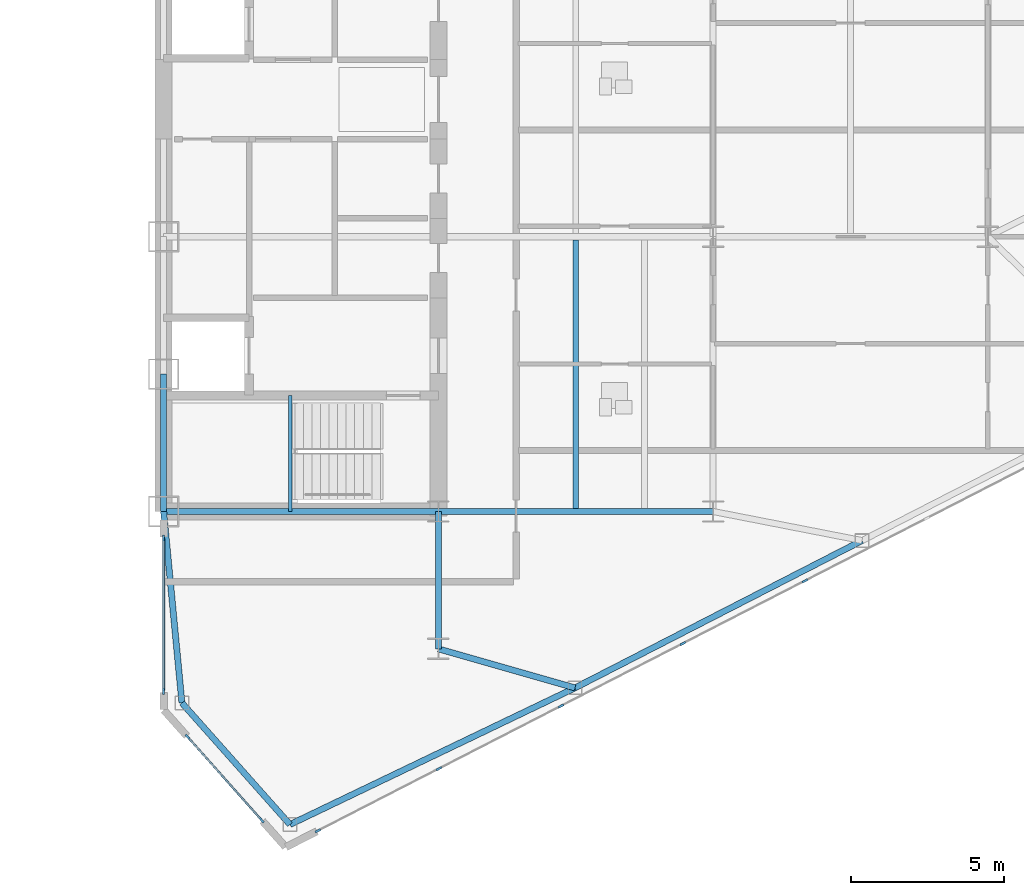
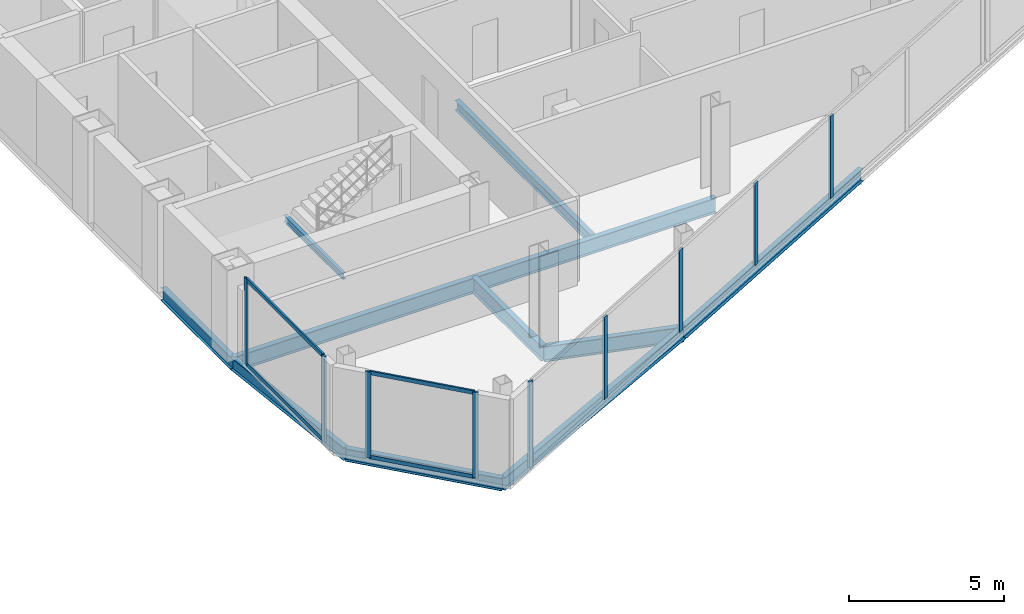
# One storey, part 8 of 23: 13 members, 11 beams, 3 elements without a shape of their own.
"""IFC4 building model written with IfcOpenShell, lengths in metres."""

from ifc_helpers import new_model, si_unit, direction, frame, origin, origin_2d, place, context, subcontext, project, spatial, rectangle, i_section, extrude, source, transform, mapped, material, layer, layer_set, material_profile, profile_set, type_object, type_shapes, element, aggregate, save


model = new_model("IFC4")

# Units and contexts
model_context = context("Model", 3, precision=1e-05, world=origin(), true_north=direction((0.0, 1.0)))
body_context = subcontext(model_context, "Body", "Model", "MODEL_VIEW")
ifc_project = project(units=[si_unit("LENGTHUNIT", "METRE"), si_unit("AREAUNIT", "SQUARE_METRE"), si_unit("VOLUMEUNIT", "CUBIC_METRE"), si_unit("PLANEANGLEUNIT", "RADIAN"), si_unit("MASSUNIT", "GRAM", prefix="KILO")], contexts=[model_context])

# Site, building, storey
site_placement = place(None, origin())
site = spatial("IfcSite", under=ifc_project, at=site_placement, CompositionType="ELEMENT")
building_placement = place(site_placement, origin())
building = spatial("IfcBuilding", under=site, at=building_placement, Name="Seokmaru Belvedere", CompositionType="ELEMENT")
storey_placement = place(building_placement, frame((0.0, 0.0, 147.60009765625)))
storey = spatial("IfcBuildingStorey", under=building, at=storey_placement, Name="L39", CompositionType="ELEMENT", Elevation=147.60009765625)

# Beams
ifc_material_1 = material(Name="Steel SM355 (355 MPa)", Category="steel")
ifc_material_profile_1 = material_profile(ifc_material_1, i_section(OverallWidth=0.199951171875, OverallDepth=0.5, WebThickness=0.010009765625, FlangeThickness=0.01611328125, at=origin_2d()), Name="H-500x200x10x16")
ifc_profile_set_1 = profile_set([ifc_material_profile_1], Name="Steel SM355 (355 MPa)")
beam_type_1 = type_object("IfcBeamType", Name="Perimeter Spandrel Beam H-500", PredefinedType="SPANDREL", material=ifc_profile_set_1)
shared_shape_1 = source(origin(), body_context, "Body", "SweptSolid", [
    extrude(i_section(OverallWidth=0.199951171875, OverallDepth=0.5, WebThickness=0.010009765625, FlangeThickness=0.01611328125, at=origin_2d()), origin(), (0.0, 0.0, 1.0), 4.5),
])
beam_1_placement = place(storey_placement, frame((27.5, -13.5, -0.47021484375), z_axis=(0.0, 1.0, 0.0), x_axis=(-1.0, 0.0, 0.0)))
element("IfcBeam", 1, at=beam_1_placement, inside=storey, type_object=beam_type_1, Name="L39 E Portal Spine Spandrel 1", PredefinedType="SPANDREL", context=body_context, shape_type="MappedRepresentation", body=[
    mapped(shared_shape_1, transform((0.0, 0.0, 0.0), scale=1.0)),
])
ifc_material_profile_2 = material_profile(ifc_material_1, i_section(OverallWidth=0.199951171875, OverallDepth=0.60009765625, WebThickness=0.010986328125, FlangeThickness=0.01708984375, at=origin_2d()), Name="H-600x200x11x17")
ifc_profile_set_2 = profile_set([ifc_material_profile_2], Name="Steel SM355 (355 MPa)")
beam_type_2 = type_object("IfcBeamType", Name="Primary Floor Girder H-600", PredefinedType="BEAM", material=ifc_profile_set_2)
shared_shape_2 = source(origin(), body_context, "Body", "SweptSolid", [
    extrude(i_section(OverallWidth=0.199951171875, OverallDepth=0.60009765625, WebThickness=0.010986328125, FlangeThickness=0.01708984375, at=origin_2d()), origin(), (0.0, 0.0, 1.0), 9.0),
])
for number, where, z_axis, x_axis, name in (
    (2, (27.5, -13.5, -0.52001953125), (1.0, 0.0, 0.0), (0.0, 1.0, 0.0), "L39 E Core Tie Girder 1"),
    (3, (36.5, -13.5, -0.52001953125), (1.0, 0.0, 0.0), (0.0, 1.0, 0.0), "L39 E Wing Primary Girder 1"),
):
    element("IfcBeam", number, at=place(storey_placement, frame(where, z_axis=z_axis, x_axis=x_axis)), inside=storey, type_object=beam_type_2, Name=name, PredefinedType="BEAM", context=body_context, shape_type="MappedRepresentation", body=[
        mapped(shared_shape_2, transform((0.0, 0.0, 0.0), scale=1.0)),
    ])
ifc_material_profile_3 = material_profile(ifc_material_1, i_section(OverallWidth=0.18505859375, OverallDepth=0.389892578125, WebThickness=0.008056640625, FlangeThickness=0.011962890625, at=origin_2d()), Name="H-390x185x8x12")
ifc_profile_set_3 = profile_set([ifc_material_profile_3], Name="Steel SM355 (355 MPa)")
beam_type_3 = type_object("IfcBeamType", Name="Secondary Floor Joist H-350", PredefinedType="JOIST", material=ifc_profile_set_3)
shared_shape_3 = source(origin(), body_context, "Body", "SweptSolid", [
    extrude(i_section(OverallWidth=0.18505859375, OverallDepth=0.389892578125, WebThickness=0.008056640625, FlangeThickness=0.011962890625, at=origin_2d()), origin(), (0.0, 0.0, 1.0), 8.7900390625),
])
type_shapes(beam_type_3, [shared_shape_3])
beam_2_placement = place(storey_placement, frame((41.0, -13.39501953125, -0.4150390625), z_axis=(0.0, 1.0, 0.0), x_axis=(-1.0, 0.0, 0.0)))
element("IfcBeam", 4, at=beam_2_placement, inside=storey, type_object=beam_type_3, Name="L39 E Secondary Floor Joist 1", PredefinedType="JOIST", context=body_context, shape_type="MappedRepresentation", body=[
    mapped(shared_shape_3, transform((0.0, 0.0, 0.0), scale=1.0)),
])
shared_shape_4 = source(origin(), body_context, "Body", "SweptSolid", [
    extrude(i_section(OverallWidth=0.199951171875, OverallDepth=0.60009765625, WebThickness=0.010986328125, FlangeThickness=0.01708984375, at=origin_2d()), origin(), (0.0, 0.0, 1.0), 4.5),
])
beam_3_placement = place(storey_placement, frame((36.5, -18.0, -0.52001953125), z_axis=(0.0, 1.0, 0.0), x_axis=(-1.0, 0.0, 0.0)))
element("IfcBeam", 5, at=beam_3_placement, inside=storey, type_object=beam_type_2, Name="L39 E Core Shoulder Girder S", PredefinedType="BEAM", context=body_context, shape_type="MappedRepresentation", body=[
    mapped(shared_shape_4, transform((0.0, 0.0, 0.0), scale=1.0)),
])
shared_shape_5 = source(origin(), body_context, "Body", "SweptSolid", [
    extrude(i_section(OverallWidth=0.199951171875, OverallDepth=0.5, WebThickness=0.010009765625, FlangeThickness=0.01611328125, at=origin_2d()), origin(), (0.0, 0.0, 1.0), 10.353759765625),
])
beam_4_placement = place(storey_placement, frame((31.6396484375, -23.75390625, -0.47021484375), z_axis=(0.901713202822, 0.432334708134, 0.0), x_axis=(-0.432334708134, 0.901713202822, 0.0)))
element("IfcBeam", 6, at=beam_4_placement, inside=storey, type_object=beam_type_1, Name="L39 E Faceted Flank Spandrel S-1", PredefinedType="SPANDREL", context=body_context, shape_type="MappedRepresentation", body=[
    mapped(shared_shape_5, transform((0.0, 0.0, 0.0), scale=1.0)),
])
shared_shape_6 = source(origin(), body_context, "Body", "SweptSolid", [
    extrude(i_section(OverallWidth=0.199951171875, OverallDepth=0.5, WebThickness=0.010009765625, FlangeThickness=0.01611328125, at=origin_2d()), origin(), (0.0, 0.0, 1.0), 10.56689453125),
])
beam_5_placement = place(storey_placement, frame((40.975830078125, -19.277587890625, -0.47021484375), z_axis=(0.889701972758, 0.45654178305, 0.0), x_axis=(-0.45654178305, 0.889701972758, 0.0)))
element("IfcBeam", 7, at=beam_5_placement, inside=storey, type_object=beam_type_1, Name="L39 E Faceted Flank Spandrel S-2", PredefinedType="SPANDREL", context=body_context, shape_type="MappedRepresentation", body=[
    mapped(shared_shape_6, transform((0.0, 0.0, 0.0), scale=1.0)),
])
shared_shape_7 = source(origin(), body_context, "Body", "SweptSolid", [
    extrude(i_section(OverallWidth=0.199951171875, OverallDepth=0.5, WebThickness=0.010009765625, FlangeThickness=0.01611328125, at=origin_2d()), origin(), (0.0, 0.0, 1.0), 5.32763671875),
])
beam_6_placement = place(storey_placement, frame((31.6396484375, -23.75390625, -0.47021484375), z_axis=(-0.66436952742, 0.74740426212, 0.0), x_axis=(-0.74740426212, -0.66436952742, 0.0)))
element("IfcBeam", 8, at=beam_6_placement, inside=storey, type_object=beam_type_1, Name="L39 E Shoulder Chamfer Spandrel S", PredefinedType="SPANDREL", context=body_context, shape_type="MappedRepresentation", body=[
    mapped(shared_shape_7, transform((0.0, 0.0, 0.0), scale=1.0)),
])
shared_shape_8 = source(origin(), body_context, "Body", "SweptSolid", [
    extrude(i_section(OverallWidth=0.199951171875, OverallDepth=0.5, WebThickness=0.010009765625, FlangeThickness=0.01611328125, at=origin_2d()), origin(), (0.0, 0.0, 1.0), 6.300537109375),
])
type_shapes(beam_type_1, [shared_shape_1, shared_shape_5, shared_shape_6, shared_shape_7, shared_shape_8])
beam_7_placement = place(storey_placement, frame((28.10009765625, -19.77197265625, -0.47021484375), z_axis=(-0.095244287992, 0.995453929424, 0.0), x_axis=(-0.995453929424, -0.095244287992, 0.0)))
element("IfcBeam", 9, at=beam_7_placement, inside=storey, type_object=beam_type_1, Name="L39 E Shoulder Spine Spandrel S", PredefinedType="SPANDREL", context=body_context, shape_type="MappedRepresentation", body=[
    mapped(shared_shape_8, transform((0.0, 0.0, 0.0), scale=1.0)),
])
shared_shape_9 = source(origin(), body_context, "Body", "SweptSolid", [
    extrude(i_section(OverallWidth=0.199951171875, OverallDepth=0.60009765625, WebThickness=0.010986328125, FlangeThickness=0.01708984375, at=origin_2d()), origin(), (0.0, 0.0, 1.0), 4.654541015625),
])
type_shapes(beam_type_2, [shared_shape_2, shared_shape_4, shared_shape_9])
beam_8_placement = place(storey_placement, frame((40.975830078125, -19.277587890625, -0.52001953125), z_axis=(-0.961593192625, 0.274478654721, 0.0), x_axis=(-0.274478654721, -0.961593192625, 0.0)))
element("IfcBeam", 10, at=beam_8_placement, inside=storey, type_object=beam_type_2, Name="L39 E Flank Radial Floor Girder S-1", PredefinedType="BEAM", context=body_context, shape_type="MappedRepresentation", body=[
    mapped(shared_shape_9, transform((0.0, 0.0, 0.0), scale=1.0)),
])

# Curtain wall, member
ifc_material_2 = material(Name="Bronze Triple Insulating Glass", Category="glass")
ifc_layer = layer(ifc_material_2, 0.195068359375)
ifc_layer_set = layer_set([ifc_layer], Name="Bronze Triple Insulating Glass")
curtain_wall_type = type_object("IfcCurtainWallType", Name="Sky-Lobby and Mid-Rise Curtain Wall System CW-4", PredefinedType="NOTDEFINED", material=ifc_layer_set)
curtain_wall_1_placement = place(storey_placement, origin())
curtain_wall_1 = element("IfcCurtainWall", 11, at=curtain_wall_1_placement, inside=storey, type_object=curtain_wall_type, Name="L39 Curtain Wall EF1", PredefinedType="NOTDEFINED")
ifc_material_3 = material(Name="Anodised Bronze Aluminium", Category="aluminium")
ifc_material_profile_4 = material_profile(ifc_material_3, rectangle(XDim=0.070068359375, YDim=0.195068359375, at=origin_2d()), Name="CW-M-70x195")
ifc_profile_set_4 = profile_set([ifc_material_profile_4], Name="Anodised Bronze Aluminium")
member_type_1 = type_object("IfcMemberType", Name="Bronze Unitised Mullion 70x195", PredefinedType="MULLION", material=ifc_profile_set_4)
shared_shape_10 = source(origin(), body_context, "Body", "SweptSolid", [
    extrude(rectangle(XDim=0.070068359375, YDim=0.195068359375, at=origin_2d()), origin(), (0.0, 0.0, 1.0), 3.3798828125),
])
member_1_placement = place(storey_placement, frame((32.55419921875, -23.958984375, 0.0), z_axis=(0.0, 0.0, 1.0), x_axis=(-0.456554528263, 0.889695432562, 0.0)))
member_1 = element("IfcMember", 12, at=member_1_placement, type_object=member_type_1, Name="CW:L39:EF1 Mullion 1", PredefinedType="MULLION", context=body_context, shape_type="MappedRepresentation", body=[
    mapped(shared_shape_10, transform((0.0, 0.0, 0.0), scale=1.0)),
])

# Curtain wall, members
curtain_wall_2_placement = place(storey_placement, origin())
curtain_wall_2 = element("IfcCurtainWall", 13, at=curtain_wall_2_placement, inside=storey, type_object=curtain_wall_type, Name="L39 Curtain Wall ESP_1", PredefinedType="NOTDEFINED")
member_2_placement = place(storey_placement, frame((27.5, -14.364990234375, 0.0), z_axis=(0.0, 0.0, 1.0), x_axis=(1.0, 0.0, 0.0)))
member_2 = element("IfcMember", 14, at=member_2_placement, type_object=member_type_1, Name="CW:L39:ESP_1 Mullion 1", PredefinedType="MULLION", context=body_context, shape_type="MappedRepresentation", body=[
    mapped(shared_shape_10, transform((0.0, 0.0, 0.0), scale=1.0)),
])
member_3_placement = place(storey_placement, frame((27.5, -19.39501953125, 0.0), z_axis=(0.0, 0.0, 1.0), x_axis=(1.0, 0.0, 0.0)))
member_3 = element("IfcMember", 15, at=member_3_placement, type_object=member_type_1, Name="CW:L39:ESP_1 Mullion 2", PredefinedType="MULLION", context=body_context, shape_type="MappedRepresentation", body=[
    mapped(shared_shape_10, transform((0.0, 0.0, 0.0), scale=1.0)),
])

curtain_wall_3_placement = place(storey_placement, origin())
curtain_wall_3 = element("IfcCurtainWall", 16, at=curtain_wall_3_placement, inside=storey, type_object=curtain_wall_type, Name="L39 Curtain Wall EF6", PredefinedType="NOTDEFINED")
member_4_placement = place(storey_placement, frame((28.287353515625, -20.8857421875, 0.0), z_axis=(0.0, 0.0, 1.0), x_axis=(0.747409774804, 0.664363325694, 0.0)))
member_4 = element("IfcMember", 17, at=member_4_placement, type_object=member_type_1, Name="CW:L39:EF6 Mullion 1", PredefinedType="MULLION", context=body_context, shape_type="MappedRepresentation", body=[
    mapped(shared_shape_10, transform((0.0, 0.0, 0.0), scale=1.0)),
])
member_5_placement = place(storey_placement, frame((30.712646484375, -23.6142578125, 0.0), z_axis=(0.0, 0.0, 1.0), x_axis=(0.747409774804, 0.664363325694, 0.0)))
member_5 = element("IfcMember", 18, at=member_5_placement, type_object=member_type_1, Name="CW:L39:EF6 Mullion 2", PredefinedType="MULLION", context=body_context, shape_type="MappedRepresentation", body=[
    mapped(shared_shape_10, transform((0.0, 0.0, 0.0), scale=1.0)),
])
ifc_material_profile_5 = material_profile(ifc_material_3, rectangle(XDim=0.06494140625, YDim=0.14990234375, at=origin_2d()), Name="CW-T-65x150")
ifc_profile_set_5 = profile_set([ifc_material_profile_5], Name="Anodised Bronze Aluminium")
member_type_2 = type_object("IfcMemberType", Name="Bronze Unitised Transom 65x150", PredefinedType="USERDEFINED", material=ifc_profile_set_5)
shared_shape_11 = source(origin(), body_context, "Body", "SweptSolid", [
    extrude(rectangle(XDim=0.06494140625, YDim=0.14990234375, at=origin_2d()), origin(), (0.0, 0.0, 1.0), 3.580810546875),
])
member_6_placement = place(storey_placement, frame((28.310546875, -20.911865234375, 0.032470703125), z_axis=(0.66436383883, -0.747409318684, 0.0), x_axis=(0.747409318684, 0.66436383883, 0.0)))
member_6 = element("IfcMember", 19, at=member_6_placement, type_object=member_type_2, Name="CW:L39:EF6 Continuous Transom 1", ObjectType="TRANSOM", PredefinedType="USERDEFINED", context=body_context, shape_type="MappedRepresentation", body=[
    mapped(shared_shape_11, transform((0.0, 0.0, 0.0), scale=1.0)),
])
member_7_placement = place(storey_placement, frame((28.310546875, -20.911865234375, 3.347412109375), z_axis=(0.66436383883, -0.747409318684, 0.0), x_axis=(0.747409318684, 0.66436383883, 0.0)))
member_7 = element("IfcMember", 20, at=member_7_placement, type_object=member_type_2, Name="CW:L39:EF6 Continuous Transom 2", ObjectType="TRANSOM", PredefinedType="USERDEFINED", context=body_context, shape_type="MappedRepresentation", body=[
    mapped(shared_shape_11, transform((0.0, 0.0, 0.0), scale=1.0)),
])
aggregate(curtain_wall_3, [member_4, member_5, member_6, member_7])

# Member
shared_shape_12 = source(origin(), body_context, "Body", "SweptSolid", [
    extrude(rectangle(XDim=0.070068359375, YDim=0.195068359375, at=origin_2d()), origin(), (0.0, 0.0, 1.0), 3.25),
])
type_shapes(member_type_1, [shared_shape_10, shared_shape_12])
member_8_placement = place(storey_placement, frame((36.51806640625, -21.925048828125, 0.06494140625), z_axis=(0.0, 0.0, 1.0), x_axis=(-0.456554528263, 0.889695432562, 0.0)))
member_8 = element("IfcMember", 21, at=member_8_placement, type_object=member_type_1, Name="CW:L39:EF1 Mullion 2", PredefinedType="MULLION", context=body_context, shape_type="MappedRepresentation", body=[
    mapped(shared_shape_12, transform((0.0, 0.0, 0.0), scale=1.0)),
])

member_9_placement = place(storey_placement, frame((40.5126953125, -19.875, 0.06494140625), z_axis=(0.0, 0.0, 1.0), x_axis=(-0.456554528263, 0.889695432562, 0.0)))
member_9 = element("IfcMember", 22, at=member_9_placement, type_object=member_type_1, Name="CW:L39:EF1 Mullion 3", PredefinedType="MULLION", context=body_context, shape_type="MappedRepresentation", body=[
    mapped(shared_shape_12, transform((0.0, 0.0, 0.0), scale=1.0)),
])

member_10_placement = place(storey_placement, frame((44.5078125, -17.824951171875, 0.06494140625), z_axis=(0.0, 0.0, 1.0), x_axis=(-0.456554528263, 0.889695432562, 0.0)))
member_10 = element("IfcMember", 23, at=member_10_placement, type_object=member_type_1, Name="CW:L39:EF1 Mullion 4", PredefinedType="MULLION", context=body_context, shape_type="MappedRepresentation", body=[
    mapped(shared_shape_12, transform((0.0, 0.0, 0.0), scale=1.0)),
])

member_11_placement = place(storey_placement, frame((48.502685546875, -15.77490234375, 0.06494140625), z_axis=(0.0, 0.0, 1.0), x_axis=(-0.456554528263, 0.889695432562, 0.0)))
member_11 = element("IfcMember", 24, at=member_11_placement, type_object=member_type_1, Name="CW:L39:EF1 Mullion 5", PredefinedType="MULLION", context=body_context, shape_type="MappedRepresentation", body=[
    mapped(shared_shape_12, transform((0.0, 0.0, 0.0), scale=1.0)),
])

aggregate(curtain_wall_1, [member_1, member_8, member_9, member_10, member_11])

shared_shape_13 = source(origin(), body_context, "Body", "SweptSolid", [
    extrude(rectangle(XDim=0.06494140625, YDim=0.14990234375, at=origin_2d()), origin(), (0.0, 0.0, 1.0), 4.960205078125),
])
type_shapes(member_type_2, [shared_shape_11, shared_shape_13])
member_12_placement = place(storey_placement, frame((27.5, -14.39990234375, 0.032470703125), z_axis=(0.0, -1.0, 0.0), x_axis=(1.0, 0.0, 0.0)))
member_12 = element("IfcMember", 25, at=member_12_placement, type_object=member_type_2, Name="CW:L39:ESP_1 Continuous Transom 1", ObjectType="TRANSOM", PredefinedType="USERDEFINED", context=body_context, shape_type="MappedRepresentation", body=[
    mapped(shared_shape_13, transform((0.0, 0.0, 0.0), scale=1.0)),
])

member_13_placement = place(storey_placement, frame((27.5, -14.39990234375, 3.347412109375), z_axis=(0.0, -1.0, 0.0), x_axis=(1.0, 0.0, 0.0)))
member_13 = element("IfcMember", 26, at=member_13_placement, type_object=member_type_2, Name="CW:L39:ESP_1 Continuous Transom 2", ObjectType="TRANSOM", PredefinedType="USERDEFINED", context=body_context, shape_type="MappedRepresentation", body=[
    mapped(shared_shape_13, transform((0.0, 0.0, 0.0), scale=1.0)),
])

aggregate(curtain_wall_2, [member_2, member_3, member_12, member_13])

# Beam
ifc_material_profile_6 = material_profile(ifc_material_1, i_section(OverallWidth=0.125, OverallDepth=0.25, WebThickness=0.006103515625, FlangeThickness=0.009033203125, at=origin_2d()), Name="H-250x125x6x9")
ifc_profile_set_6 = profile_set([ifc_material_profile_6], Name="Steel SM355 (355 MPa)")
beam_type_4 = type_object("IfcBeamType", Name="Stair Mid-Landing Support Beam H-250", PredefinedType="JOIST", material=ifc_profile_set_6)
shared_shape_14 = source(origin(), body_context, "Body", "SweptSolid", [
    extrude(i_section(OverallWidth=0.125, OverallDepth=0.25, WebThickness=0.006103515625, FlangeThickness=0.009033203125, at=origin_2d()), origin(), (0.0, 0.0, 1.0), 3.800048828125),
])
type_shapes(beam_type_4, [shared_shape_14])
beam_9_placement = place(storey_placement, frame((31.64990234375, -13.5, 1.474853515625), z_axis=(0.0, 1.0, 0.0), x_axis=(-1.0, 0.0, 0.0)))
element("IfcBeam", 27, at=beam_9_placement, inside=storey, type_object=beam_type_4, Name="L39 Stair ST-E1 Mid-Landing Support Beam 1", PredefinedType="JOIST", context=body_context, shape_type="MappedRepresentation", body=[
    mapped(shared_shape_14, transform((0.0, 0.0, 0.0), scale=1.0)),
])

save(model, "model.ifc")
